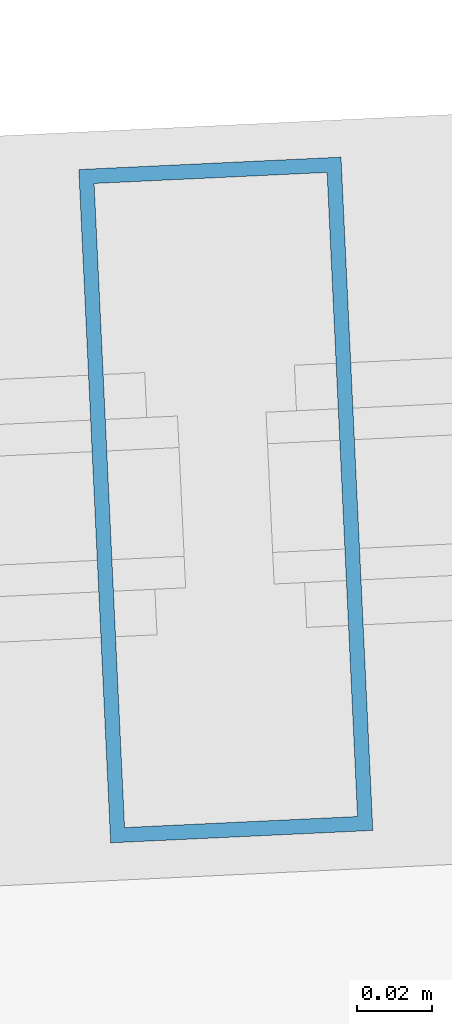
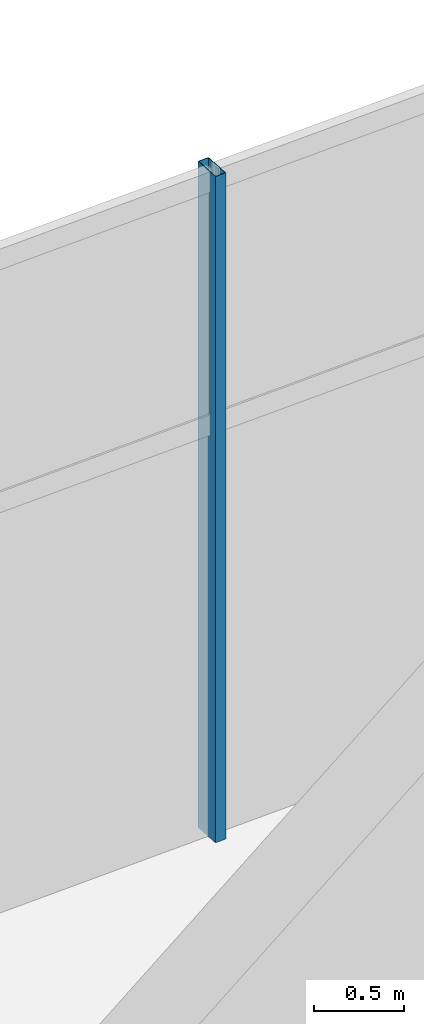
# One storey, part 98 of 186: 1 member, 1 element without a shape of its own.
"""IFC4 building model written with IfcOpenShell, lengths in metres."""

from ifc_helpers import new_model, si_unit, direction, frame, origin, origin_2d, place, context, subcontext, project, spatial, hollow_rectangle, extrude, material, layer, layer_set, material_profile, profile_set, type_object, element, aggregate, save


model = new_model("IFC4")

# Units and contexts
model_context = context("Model", 3, precision=1e-05, world=origin(), true_north=direction((0.0, 1.0)))
body_context = subcontext(model_context, "Body", "Model", "MODEL_VIEW")
ifc_project = project(units=[si_unit("LENGTHUNIT", "METRE"), si_unit("AREAUNIT", "SQUARE_METRE"), si_unit("VOLUMEUNIT", "CUBIC_METRE"), si_unit("PLANEANGLEUNIT", "RADIAN"), si_unit("MASSUNIT", "GRAM", prefix="KILO")], contexts=[model_context])

# Site, building, storey
site_placement = place(None, origin())
site = spatial("IfcSite", under=ifc_project, at=site_placement, CompositionType="ELEMENT")
building_placement = place(site_placement, origin())
building = spatial("IfcBuilding", under=site, at=building_placement, Name="Kazemori Nagisa Stadium", CompositionType="ELEMENT")
storey_placement = place(building_placement, frame((0.0, 0.0, 20.39990234375)))
storey = spatial("IfcBuildingStorey", under=building, at=storey_placement, Name="L04", CompositionType="ELEMENT", Elevation=20.39990234375)

# Curtain wall, member
ifc_material_1 = material(Name="Anodised aluminium 6063-T5", Category="aluminium")
ifc_layer = layer(ifc_material_1, 0.179931640625, Name="Anodised aluminium 6063-T5", Category="aluminium")
ifc_layer_set = layer_set([ifc_layer], Name="Anodised aluminium 6063-T5")
curtain_wall_type = type_object("IfcCurtainWallType", Name="CW_L04R3_105", PredefinedType="USERDEFINED", material=ifc_layer_set)
curtain_wall_placement = place(storey_placement, origin())
curtain_wall = element("IfcCurtainWall", 1, at=curtain_wall_placement, inside=storey, type_object=curtain_wall_type, Name="Unitised curtain wall CW-L04R3-105 L04", ObjectType="UNITISED CURTAIN WALL", PredefinedType="USERDEFINED")
ifc_material_2 = material(Name="Aluminium 6063-T5 anodised", Category="aluminium")
ifc_material_profile = material_profile(ifc_material_2, hollow_rectangle(XDim=0.070068359375, YDim=0.179931640625, WallThickness=0.00390625, at=origin_2d()), Name="ALU-MULL-70x180x4")
ifc_profile_set = profile_set([ifc_material_profile], Name="Aluminium 6063-T5 anodised")
member_type = type_object("IfcMemberType", Name="Mullion_M01", PredefinedType="MULLION", material=ifc_profile_set)
member_placement = place(storey_placement, frame((108.7998046875, 187.32861328125, 0.0), z_axis=(0.0, 0.0, 1.0), x_axis=(-0.998884022476, -0.047230388971, 0.0)))
member = element("IfcMember", 2, at=member_placement, type_object=member_type, Name="Curtain wall mullion CW-L04R3-105-M3", PredefinedType="MULLION", context=body_context, shape_type="SweptSolid", body=[
    extrude(hollow_rectangle(XDim=0.070068359375, YDim=0.179931640625, WallThickness=0.00390625, at=origin_2d()), origin(), (0.0, 0.0, 1.0), 4.530029296875),
])
aggregate(curtain_wall, [member])

save(model, "model.ifc")
